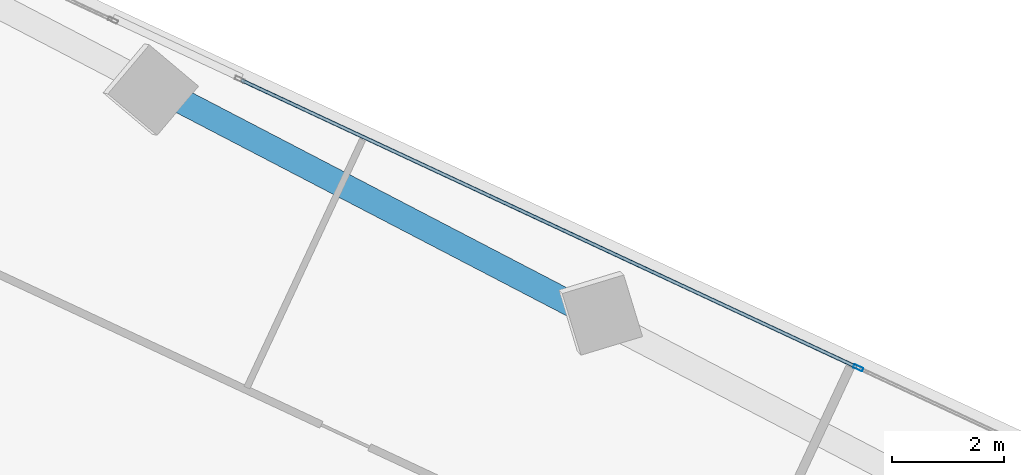
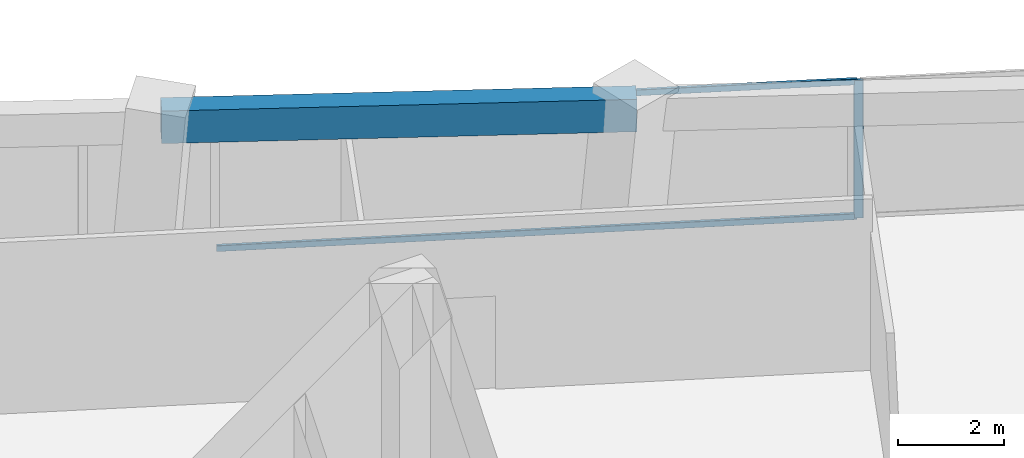
# One storey, part 14 of 21: 3 members, 1 beam, 1 element without a shape of its own.
"""IFC4 building model written with IfcOpenShell, lengths in metres."""

from ifc_helpers import new_model, si_unit, direction, frame, origin, origin_2d, place, context, subcontext, project, spatial, rectangle, hollow_rectangle, extrude, source, transform, mapped, material, material_profile, profile_set, type_object, element, aggregate, save


model = new_model("IFC4")

# Units and contexts
model_context = context("Model", 3, precision=1e-05, world=origin(), true_north=direction((0.0, 1.0)))
body_context = subcontext(model_context, "Body", "Model", "MODEL_VIEW")
ifc_project = project(units=[si_unit("LENGTHUNIT", "METRE"), si_unit("AREAUNIT", "SQUARE_METRE"), si_unit("VOLUMEUNIT", "CUBIC_METRE"), si_unit("PLANEANGLEUNIT", "RADIAN"), si_unit("MASSUNIT", "GRAM", prefix="KILO")], contexts=[model_context])

# Site, building, storey
site_placement = place(None, origin())
site = spatial("IfcSite", under=ifc_project, at=site_placement, CompositionType="ELEMENT")
building_placement = place(site_placement, origin())
building = spatial("IfcBuilding", under=site, at=building_placement, Name="Torre Montelarca", CompositionType="ELEMENT")
storey_placement = place(building_placement, frame((0.0, 0.0, 162.39990234375)))
storey = spatial("IfcBuildingStorey", under=building, at=storey_placement, Name="L36", CompositionType="ELEMENT", Elevation=162.39990234375)

# Beam
ifc_material_1 = material(Name="Concrete C55/67", Category="concrete")
ifc_material_profile_1 = material_profile(ifc_material_1, rectangle(XDim=0.449951171875, YDim=0.75, at=origin_2d()), Name="RCB450X750", Category="concrete")
ifc_profile_set_1 = profile_set([ifc_material_profile_1], Name="Concrete C55/67")
beam_type = type_object("IfcBeamType", Name="BM-SP-RC750-EXT", PredefinedType="SPANDREL", material=ifc_profile_set_1)
shared_shape_1 = source(origin(), body_context, "Body", "SweptSolid", [
    extrude(rectangle(XDim=0.449951171875, YDim=0.75, at=origin_2d()), origin(), (0.0, 0.0, 1.0), 8.999755859375),
])
beam_placement = place(storey_placement, frame((25.39111328125, 47.05419921875, 3.585205078125), z_axis=(0.887016404275, -0.4617379111, 0.0), x_axis=(0.4617379111, 0.887016404275, 0.0)))
element("IfcBeam", 1, at=beam_placement, inside=storey, type_object=beam_type, Name="L36 Grid Girder X 18.0-27.0 at Y=47.1", PredefinedType="SPANDREL", context=body_context, shape_type="MappedRepresentation", body=[
    mapped(shared_shape_1, transform((0.0, 0.0, 0.0), scale=1.0)),
])

# Curtain wall, members
ifc_material_2 = material(Name="Insulated low-E laminated glass", Category="glass")
curtain_wall_type = type_object("IfcCurtainWallType", Name="CW-SYS-Z2", PredefinedType="USERDEFINED", material=ifc_material_2)
curtain_wall_placement = place(storey_placement, origin())
curtain_wall = element("IfcCurtainWall", 2, at=curtain_wall_placement, inside=storey, type_object=curtain_wall_type, Name="L36 Curtain Wall Run CW-T3-L36-E08-B1", ObjectType="UNITISED GLAZING", PredefinedType="USERDEFINED")
ifc_material_3 = material(Name="Anodised aluminium AA 6063-T6", Category="aluminium")
ifc_material_profile_2 = material_profile(ifc_material_3, hollow_rectangle(XDim=0.06494140625, YDim=0.179931640625, WallThickness=0.00390625, InnerFilletRadius=0.00390625, OuterFilletRadius=0.008056640625, at=origin_2d()), Name="ALU65X180X4", Category="aluminium")
ifc_profile_set_2 = profile_set([ifc_material_profile_2], Name="Anodised aluminium AA 6063-T6")
member_type_1 = type_object("IfcMemberType", Name="CWM-ALU180", PredefinedType="MULLION", material=ifc_profile_set_2)
shared_shape_2 = source(origin(), body_context, "Body", "SweptSolid", [
    extrude(hollow_rectangle(XDim=0.06494140625, YDim=0.179931640625, WallThickness=0.00390625, InnerFilletRadius=0.00390625, OuterFilletRadius=0.008056640625, at=origin_2d()), origin(), (0.0, 0.0, 1.0), 3.175048828125),
])
member_1_placement = place(storey_placement, frame((37.78662109375, 42.13671875, 0.0), z_axis=(0.0, 0.0, 1.0), x_axis=(-0.422614347923, -0.90630961207, 0.0)))
member_1 = element("IfcMember", 3, at=member_1_placement, type_object=member_type_1, Name="CW mullion 2", PredefinedType="MULLION", context=body_context, shape_type="MappedRepresentation", body=[
    mapped(shared_shape_2, transform((0.0, 0.0, 0.0), scale=1.0)),
])
ifc_material_profile_3 = material_profile(ifc_material_3, hollow_rectangle(XDim=0.06494140625, YDim=0.139892578125, WallThickness=0.00390625, InnerFilletRadius=0.00390625, OuterFilletRadius=0.008056640625, at=origin_2d()), Name="ALU65X140X4", Category="aluminium")
ifc_profile_set_3 = profile_set([ifc_material_profile_3], Name="Anodised aluminium AA 6063-T6")
member_type_2 = type_object("IfcMemberType", Name="CWT-ALU140", PredefinedType="USERDEFINED", material=ifc_profile_set_3)
shared_shape_3 = source(origin(), body_context, "Body", "SweptSolid", [
    extrude(hollow_rectangle(XDim=0.06494140625, YDim=0.139892578125, WallThickness=0.00390625, InnerFilletRadius=0.00390625, OuterFilletRadius=0.008056640625, at=origin_2d()), origin(), (0.0, 0.0, 1.0), 12.16015625),
])
member_2_placement = place(storey_placement, frame((37.757080078125, 42.150390625, 0.03271484375), z_axis=(-0.906304664842, 0.422624957244, 0.0), x_axis=(-0.422624957244, -0.906304664842, 0.0)))
member_2 = element("IfcMember", 4, at=member_2_placement, type_object=member_type_2, Name="CW transom 2.1", ObjectType="TRANSOM", PredefinedType="USERDEFINED", context=body_context, shape_type="MappedRepresentation", body=[
    mapped(shared_shape_3, transform((0.0, 0.0, 0.0), scale=1.0)),
])
member_3_placement = place(storey_placement, frame((37.757080078125, 42.150390625, 3.142578125), z_axis=(-0.906304664842, 0.422624957244, 0.0), x_axis=(-0.422624957244, -0.906304664842, 0.0)))
member_3 = element("IfcMember", 5, at=member_3_placement, type_object=member_type_2, Name="CW transom 2.2", ObjectType="TRANSOM", PredefinedType="USERDEFINED", context=body_context, shape_type="MappedRepresentation", body=[
    mapped(shared_shape_3, transform((0.0, 0.0, 0.0), scale=1.0)),
])
aggregate(curtain_wall, [member_1, member_2, member_3])

save(model, "model.ifc")
